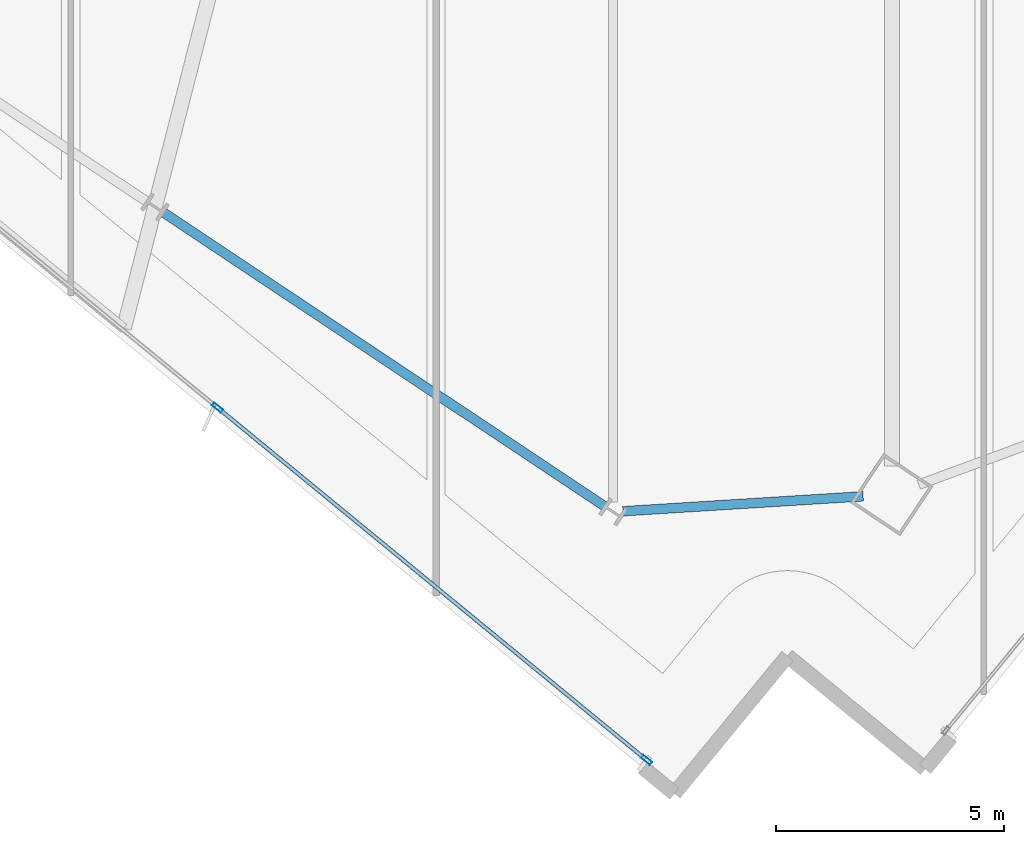
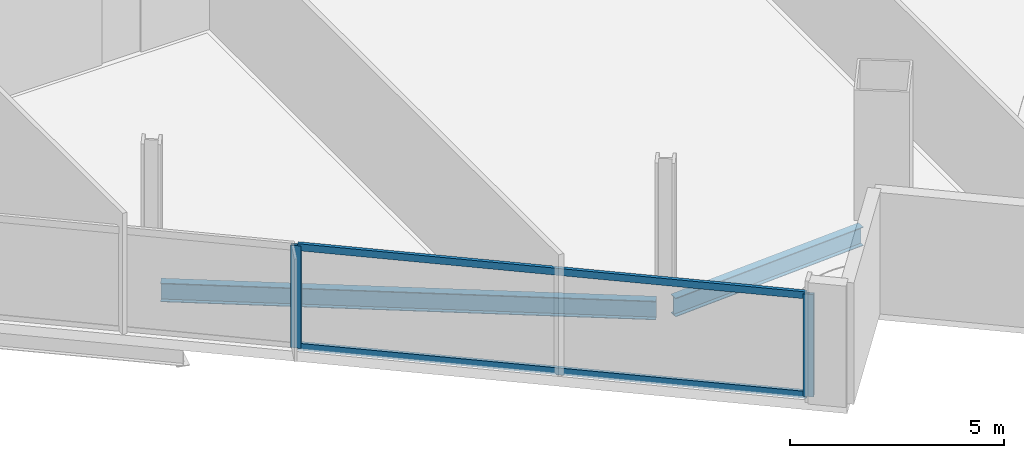
# One storey, part 3 of 28: 4 members, 2 beams, 1 element without a shape of its own.
"""IFC4 building model written with IfcOpenShell, lengths in metres."""

from ifc_helpers import new_model, si_unit, direction, frame, origin, origin_2d, place, context, subcontext, project, spatial, hollow_rectangle, i_section, extrude, material, material_profile, profile_set, type_object, element, aggregate, save


model = new_model("IFC4")

# Units and contexts
model_context = context("Model", 3, precision=1e-05, world=origin(), true_north=direction((0.0, 1.0)))
body_context = subcontext(model_context, "Body", "Model", "MODEL_VIEW")
ifc_project = project(units=[si_unit("LENGTHUNIT", "METRE"), si_unit("AREAUNIT", "SQUARE_METRE"), si_unit("VOLUMEUNIT", "CUBIC_METRE"), si_unit("PLANEANGLEUNIT", "RADIAN"), si_unit("MASSUNIT", "GRAM", prefix="KILO")], contexts=[model_context])

# Site, building, storey
site_placement = place(None, origin())
site = spatial("IfcSite", under=ifc_project, at=site_placement, CompositionType="ELEMENT")
building_placement = place(site_placement, origin())
building = spatial("IfcBuilding", under=site, at=building_placement, Name="Haldenkirk Collegiate Tower", CompositionType="ELEMENT")
storey_placement = place(building_placement, frame((0.0, 0.0, 198.449951171875)))
storey = spatial("IfcBuildingStorey", under=building, at=storey_placement, Name="L49", CompositionType="ELEMENT", Elevation=198.449951171875)

# Beams
ifc_material_1 = material(Name="Steel ASTM A992 Grade 50", Category="steel")
ifc_material_profile_1 = material_profile(ifc_material_1, i_section(OverallWidth=0.2099609375, OverallDepth=0.537109375, WebThickness=0.010986328125, FlangeThickness=0.017333984375, at=origin_2d()), Name="W21X68")
ifc_profile_set_1 = profile_set([ifc_material_profile_1], Name="Steel ASTM A992 Grade 50")
beam_type = type_object("IfcBeamType", Name="BM-SPANDREL-W21X68", PredefinedType="SPANDREL", material=ifc_profile_set_1)
beam_1_placement = place(storey_placement, frame((24.52392578125, 7.510986328125, -0.54833984375), z_axis=(0.832441238083, -0.554113332395, 0.0), x_axis=(0.554113332395, 0.832441238083, 0.0)))
element("IfcBeam", 1, at=beam_1_placement, inside=storey, type_object=beam_type, Name="L49 perimeter spandrel beam 15", PredefinedType="SPANDREL", context=body_context, shape_type="SweptSolid", body=[
    extrude(i_section(OverallWidth=0.2099609375, OverallDepth=0.537109375, WebThickness=0.010986328125, FlangeThickness=0.017333984375, at=origin_2d()), origin(), (0.0, 0.0, 1.0), 11.618896484375),
])
beam_2_placement = place(storey_placement, frame((34.59326171875, 0.966064453125, -0.54833984375), z_axis=(0.99806607268, 0.062162002577, 0.0), x_axis=(-0.062162002577, 0.99806607268, 0.0)))
element("IfcBeam", 2, at=beam_2_placement, inside=storey, type_object=beam_type, Name="L49 perimeter spandrel beam 16", PredefinedType="SPANDREL", context=body_context, shape_type="SweptSolid", body=[
    extrude(i_section(OverallWidth=0.2099609375, OverallDepth=0.537109375, WebThickness=0.010986328125, FlangeThickness=0.017333984375, at=origin_2d()), origin(), (0.0, 0.0, 1.0), 5.270751953125),
])

# Curtain wall, members
ifc_material_2 = material(Name="Anodised architectural bronze aluminium", Category="aluminium")
curtain_wall_type = type_object("IfcCurtainWallType", Name="CW-SYS1B-CONVEX-HI", PredefinedType="USERDEFINED", material=ifc_material_2)
curtain_wall_placement = place(storey_placement, origin())
curtain_wall = element("IfcCurtainWall", 3, at=curtain_wall_placement, inside=storey, type_object=curtain_wall_type, Name="L49 Upper tower high-wind convex bronze unitised curtain wall", ObjectType="UNITISED CURTAIN WALL", PredefinedType="USERDEFINED")
ifc_material_profile_2 = material_profile(ifc_material_2, hollow_rectangle(XDim=0.0849609375, YDim=0.25, WallThickness=0.0048828125, at=origin_2d()), Name="CW-MUL-1B")
ifc_profile_set_2 = profile_set([ifc_material_profile_2], Name="Anodised architectural bronze aluminium")
member_type_1 = type_object("IfcMemberType", Name="CW-MUL-1B", PredefinedType="MULLION", material=ifc_profile_set_2)
member_1_placement = place(storey_placement, frame((35.107666015625, -4.480712890625, 0.0), z_axis=(0.0, 0.0, 1.0), x_axis=(-0.634730275566, -0.772733768694, 0.0)))
member_1 = element("IfcMember", 4, at=member_1_placement, type_object=member_type_1, Name="CW-1B mullion 1", PredefinedType="MULLION", context=body_context, shape_type="SweptSolid", body=[
    extrude(hollow_rectangle(XDim=0.0849609375, YDim=0.25, WallThickness=0.0048828125, at=origin_2d()), origin(), (0.0, 0.0, 1.0), 2.927978515625),
])
member_2_placement = place(storey_placement, frame((25.713134765625, 3.236083984375, 0.0), z_axis=(0.0, 0.0, 1.0), x_axis=(-0.634730275566, -0.772733768694, 0.0)))
member_2 = element("IfcMember", 5, at=member_2_placement, type_object=member_type_1, Name="CW-1B mullion 2", PredefinedType="MULLION", context=body_context, shape_type="SweptSolid", body=[
    extrude(hollow_rectangle(XDim=0.0849609375, YDim=0.25, WallThickness=0.0048828125, at=origin_2d()), origin(), (0.0, 0.0, 1.0), 2.927978515625),
])
ifc_material_profile_3 = material_profile(ifc_material_2, hollow_rectangle(XDim=0.0849609375, YDim=0.199951171875, WallThickness=0.0048828125, at=origin_2d()), Name="CW-TRN-1B")
ifc_profile_set_3 = profile_set([ifc_material_profile_3], Name="Anodised architectural bronze aluminium")
member_type_2 = type_object("IfcMemberType", Name="CW-TRN-1B", PredefinedType="USERDEFINED", material=ifc_profile_set_3)
member_3_placement = place(storey_placement, frame((35.07470703125, -4.453857421875, 0.04248046875), z_axis=(-0.772732276656, 0.634732092, 0.0), x_axis=(-0.634732092, -0.772732276656, 0.0)))
member_3 = element("IfcMember", 6, at=member_3_placement, type_object=member_type_2, Name="CW-1B transom 1.1", ObjectType="TRANSOM", PredefinedType="USERDEFINED", context=body_context, shape_type="SweptSolid", body=[
    extrude(hollow_rectangle(XDim=0.0849609375, YDim=0.199951171875, WallThickness=0.0048828125, at=origin_2d()), origin(), (0.0, 0.0, 1.0), 12.072509765625),
])
member_4_placement = place(storey_placement, frame((35.07470703125, -4.453857421875, 2.885498046875), z_axis=(-0.772732276656, 0.634732092, 0.0), x_axis=(-0.634732092, -0.772732276656, 0.0)))
member_4 = element("IfcMember", 7, at=member_4_placement, type_object=member_type_2, Name="CW-1B transom 1.2", ObjectType="TRANSOM", PredefinedType="USERDEFINED", context=body_context, shape_type="SweptSolid", body=[
    extrude(hollow_rectangle(XDim=0.0849609375, YDim=0.199951171875, WallThickness=0.0048828125, at=origin_2d()), origin(), (0.0, 0.0, 1.0), 12.072509765625),
])
aggregate(curtain_wall, [member_1, member_2, member_3, member_4])

save(model, "model.ifc")
